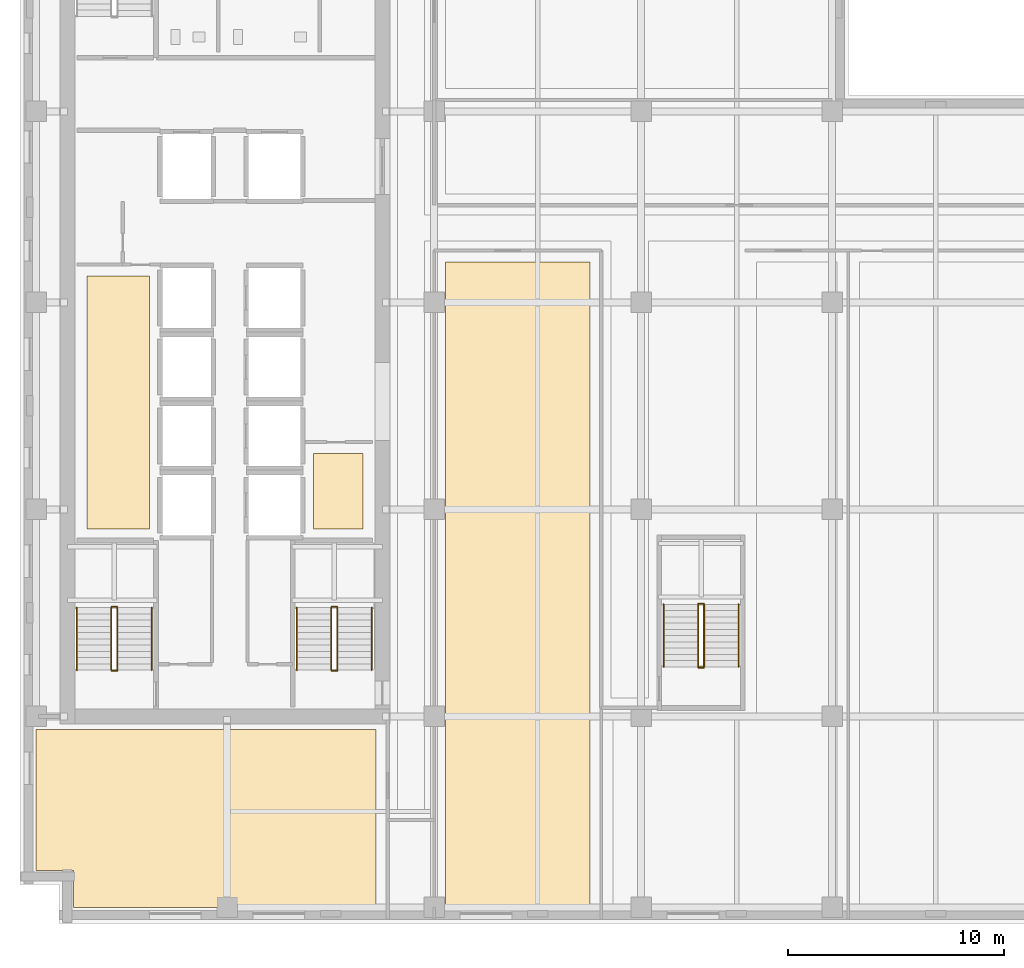
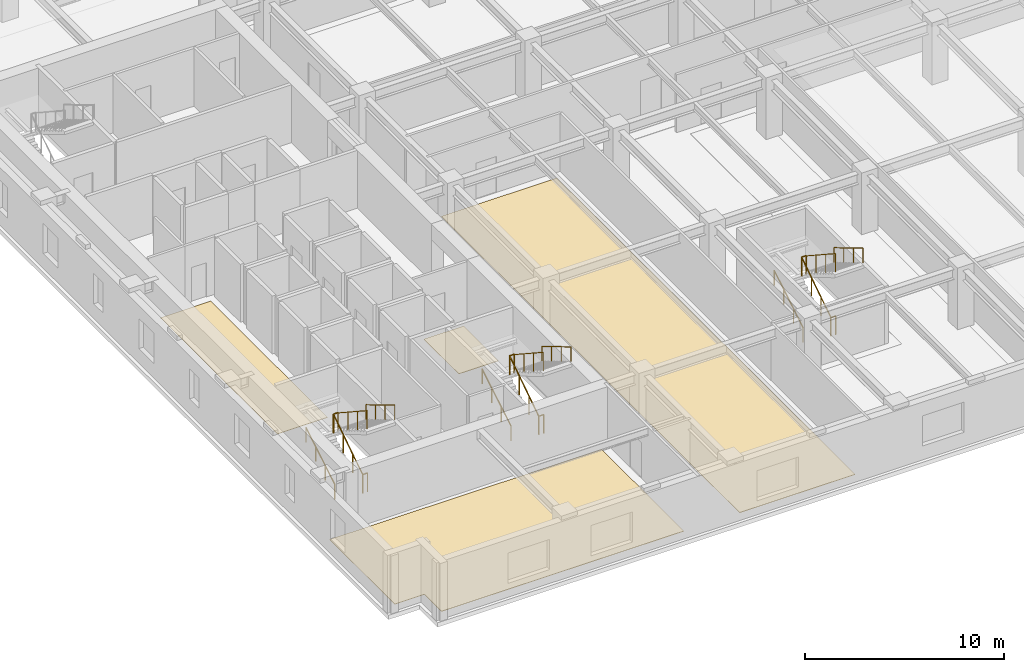
# One storey, part 10 of 14: 18 railings, 4 coverings.
"""IFC4 building model written with IfcOpenShell, lengths in metres."""

from ifc_helpers import new_model, si_unit, direction, frame, origin, origin_2d, place, context, subcontext, project, spatial, polyline, circle, outline, extrude, material, layer, layer_set, type_object, element, save


model = new_model("IFC4")

# Units and contexts
model_context = context("Model", 3, precision=1e-05, world=origin(), true_north=direction((0.0, 1.0)))
body_context = subcontext(model_context, "Body", "Model", "MODEL_VIEW")
ifc_project = project(units=[si_unit("LENGTHUNIT", "METRE"), si_unit("AREAUNIT", "SQUARE_METRE"), si_unit("VOLUMEUNIT", "CUBIC_METRE"), si_unit("PLANEANGLEUNIT", "RADIAN"), si_unit("MASSUNIT", "GRAM", prefix="KILO")], contexts=[model_context])

# Site, building, storey
site_placement = place(None, origin())
site = spatial("IfcSite", under=ifc_project, at=site_placement, CompositionType="ELEMENT")
building_placement = place(site_placement, origin())
building = spatial("IfcBuilding", under=site, at=building_placement, Name="Norrvale University Quadrangle", CompositionType="ELEMENT")
storey_placement = place(building_placement, frame((0.0, 0.0, 156.0)))
storey = spatial("IfcBuildingStorey", under=building, at=storey_placement, Name="L39", CompositionType="ELEMENT", Elevation=156.0)

# Coverings
ifc_material_1 = material(Name="Polished Terrazzo Flooring")
ifc_layer = layer(ifc_material_1, 0.02490234375, Name="Polished Terrazzo Flooring")
ifc_layer_set = layer_set([ifc_layer], Name="Polished Terrazzo Flooring")
covering_type = type_object("IfcCoveringType", Name="Covering Terrazzo Floor 30", PredefinedType="FLOORING", material=ifc_layer_set)
covering_1_placement = place(storey_placement, origin())
element("IfcCovering", 1, at=covering_1_placement, inside=storey, type_object=covering_type, Name="Terrazzo Flooring RM-L39-JAN", PredefinedType="FLOORING", context=body_context, shape_type="SweptSolid", body=[
    extrude(outline(polyline([(13.60009765625, 18.300048828125), (13.60009765625, 21.800048828125), (15.89990234375, 21.800048828125), (15.89990234375, 18.300048828125), (13.60009765625, 18.300048828125)])), origin(), (0.0, 0.0, 1.0), 0.02490234375),
])
covering_2_placement = place(storey_placement, origin())
element("IfcCovering", 2, at=covering_2_placement, inside=storey, type_object=covering_type, Name="Terrazzo Flooring RM-L39-WSTOR", PredefinedType="FLOORING", context=body_context, shape_type="SweptSolid", body=[
    extrude(outline(polyline([(3.10009765625, 18.300048828125), (3.10009765625, 30.030029296875), (6.0, 30.030029296875), (6.0, 18.300048828125), (3.10009765625, 18.300048828125)])), origin(), (0.0, 0.0, 1.0), 0.02490234375),
])
covering_3_placement = place(storey_placement, origin())
element("IfcCovering", 3, at=covering_3_placement, inside=storey, type_object=covering_type, Name="Terrazzo Flooring RM-L39-SW1", PredefinedType="FLOORING", context=body_context, shape_type="SweptSolid", body=[
    extrude(outline(polyline([(0.75, 9.0), (16.5, 9.0), (16.5, 0.75), (2.469970703125, 0.75), (2.469970703125, 2.469970703125), (0.75, 2.469970703125), (0.75, 9.0)])), origin(), (0.0, 0.0, 1.0), 0.02490234375),
])
covering_4_placement = place(storey_placement, origin())
element("IfcCovering", 4, at=covering_4_placement, inside=storey, type_object=covering_type, Name="Terrazzo Flooring RM-L39-SE1", PredefinedType="FLOORING", context=body_context, shape_type="SweptSolid", body=[
    extrude(outline(polyline([(19.72998046875, 30.669921875), (26.419921875, 30.669921875), (26.419921875, 0.75), (19.72998046875, 0.75), (19.72998046875, 30.669921875)])), origin(), (0.0, 0.0, 1.0), 0.02490234375),
])

# Railings
ifc_material_2 = material(Name="Steel 350W Painted Balustrade", Category="steel")
railing_type_1 = type_object("IfcRailingType", Name="Railing Stair Guard 1100", PredefinedType="GUARDRAIL", material=ifc_material_2)
for number, where, name in (
    (5, (4.239990234375, 11.719970703125, 0.0), "Stair Floor Well Guard ST-01 L39"),
    (6, (4.239990234375, 14.679931640625, 1.89990234375), "Stair Mid-Landing Slot Guard ST-01 L39"),
):
    element("IfcRailing", number, at=place(storey_placement, frame(where)), inside=storey, type_object=railing_type_1, Name=name, PredefinedType="GUARDRAIL", context=body_context, shape_type="SweptSolid", body=[
        extrude(circle(Radius=0.02392578125, at=origin_2d()), frame((0.0, 0.0, 1.1259765625), z_axis=(1.0, 0.0, 0.0), x_axis=(0.0, 1.0, 0.0)), (0.0, 0.0, 1.0), 0.27001953125),
        extrude(circle(Radius=0.02099609375, at=origin_2d()), origin(), (0.0, 0.0, 1.0), 1.101806640625),
        extrude(circle(Radius=0.02099609375, at=origin_2d()), frame((0.27001953125, 0.0, 0.0)), (0.0, 0.0, 1.0), 1.101806640625),
    ])
railing_1_placement = place(storey_placement, frame((4.239990234375, 11.75, 0.0)))
element("IfcRailing", 7, at=railing_1_placement, inside=storey, type_object=railing_type_1, Name="Stair Lower Flight Inner Guard ST-01 L39", PredefinedType="GUARDRAIL", context=body_context, shape_type="SweptSolid", body=[
    extrude(circle(Radius=0.02392578125, at=origin_2d()), frame((0.0, 0.0, 1.1259765625), z_axis=(0.0, 0.836465582154, 0.548019461216), x_axis=(-1.0, 0.0, 0.0)), (0.0, 0.0, 1.0), 3.466796875),
    extrude(circle(Radius=0.02099609375, at=origin_2d()), origin(), (0.0, 0.0, 1.0), 1.101806640625),
    extrude(circle(Radius=0.02099609375, at=origin_2d()), frame((0.0, 0.966552734375, 0.63330078125)), (0.0, 0.0, 1.0), 1.101806640625),
    extrude(circle(Radius=0.02099609375, at=origin_2d()), frame((0.0, 1.933349609375, 1.2666015625)), (0.0, 0.0, 1.0), 1.101806640625),
    extrude(circle(Radius=0.02099609375, at=origin_2d()), frame((0.0, 2.89990234375, 1.89990234375)), (0.0, 0.0, 1.0), 1.101806640625),
])
railing_2_placement = place(storey_placement, frame((4.510009765625, 14.64990234375, 1.89990234375)))
element("IfcRailing", 8, at=railing_2_placement, inside=storey, type_object=railing_type_1, Name="Stair Upper Flight Inner Guard ST-01 L39", PredefinedType="GUARDRAIL", context=body_context, shape_type="SweptSolid", body=[
    extrude(circle(Radius=0.02392578125, at=origin_2d()), frame((0.0, 0.0, 1.1259765625), z_axis=(0.0, -0.836433300813, 0.548068730445), x_axis=(1.0, 0.0, 0.0)), (0.0, 0.0, 1.0), 3.467041015625),
    extrude(circle(Radius=0.02099609375, at=origin_2d()), origin(), (0.0, 0.0, 1.0), 1.101806640625),
    extrude(circle(Radius=0.02099609375, at=origin_2d()), frame((0.0, -0.966552734375, 0.63330078125)), (0.0, 0.0, 1.0), 1.101806640625),
    extrude(circle(Radius=0.02099609375, at=origin_2d()), frame((0.0, -1.933349609375, 1.266845703125)), (0.0, 0.0, 1.0), 1.101806640625),
    extrude(circle(Radius=0.02099609375, at=origin_2d()), frame((0.0, -2.89990234375, 1.900146484375)), (0.0, 0.0, 1.0), 1.101806640625),
])
for number, where, name in (
    (9, (14.43994140625, 11.719970703125, 0.0), "Stair Floor Well Guard ST-03 L39"),
    (10, (14.43994140625, 14.679931640625, 1.89990234375), "Stair Mid-Landing Slot Guard ST-03 L39"),
):
    element("IfcRailing", number, at=place(storey_placement, frame(where)), inside=storey, type_object=railing_type_1, Name=name, PredefinedType="GUARDRAIL", context=body_context, shape_type="SweptSolid", body=[
        extrude(circle(Radius=0.02392578125, at=origin_2d()), frame((0.0, 0.0, 1.1259765625), z_axis=(1.0, 0.0, 0.0), x_axis=(0.0, 1.0, 0.0)), (0.0, 0.0, 1.0), 0.27001953125),
        extrude(circle(Radius=0.02099609375, at=origin_2d()), origin(), (0.0, 0.0, 1.0), 1.101806640625),
        extrude(circle(Radius=0.02099609375, at=origin_2d()), frame((0.27001953125, 0.0, 0.0)), (0.0, 0.0, 1.0), 1.101806640625),
    ])
railing_3_placement = place(storey_placement, frame((14.43994140625, 11.75, 0.0)))
element("IfcRailing", 11, at=railing_3_placement, inside=storey, type_object=railing_type_1, Name="Stair Lower Flight Inner Guard ST-03 L39", PredefinedType="GUARDRAIL", context=body_context, shape_type="SweptSolid", body=[
    extrude(circle(Radius=0.02392578125, at=origin_2d()), frame((0.0, 0.0, 1.1259765625), z_axis=(0.0, 0.836465582154, 0.548019461216), x_axis=(-1.0, 0.0, 0.0)), (0.0, 0.0, 1.0), 3.466796875),
    extrude(circle(Radius=0.02099609375, at=origin_2d()), origin(), (0.0, 0.0, 1.0), 1.101806640625),
    extrude(circle(Radius=0.02099609375, at=origin_2d()), frame((0.0, 0.966552734375, 0.63330078125)), (0.0, 0.0, 1.0), 1.101806640625),
    extrude(circle(Radius=0.02099609375, at=origin_2d()), frame((0.0, 1.933349609375, 1.2666015625)), (0.0, 0.0, 1.0), 1.101806640625),
    extrude(circle(Radius=0.02099609375, at=origin_2d()), frame((0.0, 2.89990234375, 1.89990234375)), (0.0, 0.0, 1.0), 1.101806640625),
])
railing_4_placement = place(storey_placement, frame((14.7099609375, 14.64990234375, 1.89990234375)))
element("IfcRailing", 12, at=railing_4_placement, inside=storey, type_object=railing_type_1, Name="Stair Upper Flight Inner Guard ST-03 L39", PredefinedType="GUARDRAIL", context=body_context, shape_type="SweptSolid", body=[
    extrude(circle(Radius=0.02392578125, at=origin_2d()), frame((0.0, 0.0, 1.1259765625), z_axis=(0.0, -0.836433300813, 0.548068730445), x_axis=(1.0, 0.0, 0.0)), (0.0, 0.0, 1.0), 3.467041015625),
    extrude(circle(Radius=0.02099609375, at=origin_2d()), origin(), (0.0, 0.0, 1.0), 1.101806640625),
    extrude(circle(Radius=0.02099609375, at=origin_2d()), frame((0.0, -0.966552734375, 0.63330078125)), (0.0, 0.0, 1.0), 1.101806640625),
    extrude(circle(Radius=0.02099609375, at=origin_2d()), frame((0.0, -1.933349609375, 1.266845703125)), (0.0, 0.0, 1.0), 1.101806640625),
    extrude(circle(Radius=0.02099609375, at=origin_2d()), frame((0.0, -2.89990234375, 1.900146484375)), (0.0, 0.0, 1.0), 1.101806640625),
])
for number, where, name in (
    (13, (31.43994140625, 11.8701171875, 0.0), "Stair Floor Well Guard ST-04 L39"),
    (14, (31.43994140625, 14.830078125, 1.89990234375), "Stair Mid-Landing Slot Guard ST-04 L39"),
):
    element("IfcRailing", number, at=place(storey_placement, frame(where)), inside=storey, type_object=railing_type_1, Name=name, PredefinedType="GUARDRAIL", context=body_context, shape_type="SweptSolid", body=[
        extrude(circle(Radius=0.02392578125, at=origin_2d()), frame((0.0, 0.0, 1.1259765625), z_axis=(1.0, 0.0, 0.0), x_axis=(0.0, 1.0, 0.0)), (0.0, 0.0, 1.0), 0.27001953125),
        extrude(circle(Radius=0.02099609375, at=origin_2d()), origin(), (0.0, 0.0, 1.0), 1.101806640625),
        extrude(circle(Radius=0.02099609375, at=origin_2d()), frame((0.27001953125, 0.0, 0.0)), (0.0, 0.0, 1.0), 1.101806640625),
    ])
railing_5_placement = place(storey_placement, frame((31.43994140625, 11.89990234375, 0.0)))
element("IfcRailing", 15, at=railing_5_placement, inside=storey, type_object=railing_type_1, Name="Stair Lower Flight Inner Guard ST-04 L39", PredefinedType="GUARDRAIL", context=body_context, shape_type="SweptSolid", body=[
    extrude(circle(Radius=0.02392578125, at=origin_2d()), frame((0.0, 0.0, 1.1259765625), z_axis=(0.0, 0.836486729621, 0.547987181573), x_axis=(-1.0, 0.0, 0.0)), (0.0, 0.0, 1.0), 3.467041015625),
    extrude(circle(Radius=0.02099609375, at=origin_2d()), origin(), (0.0, 0.0, 1.0), 1.101806640625),
    extrude(circle(Radius=0.02099609375, at=origin_2d()), frame((0.0, 0.966796875, 0.63330078125)), (0.0, 0.0, 1.0), 1.101806640625),
    extrude(circle(Radius=0.02099609375, at=origin_2d()), frame((0.0, 1.933349609375, 1.2666015625)), (0.0, 0.0, 1.0), 1.101806640625),
    extrude(circle(Radius=0.02099609375, at=origin_2d()), frame((0.0, 2.900146484375, 1.89990234375)), (0.0, 0.0, 1.0), 1.101806640625),
])
railing_6_placement = place(storey_placement, frame((31.7099609375, 14.800048828125, 1.89990234375)))
element("IfcRailing", 16, at=railing_6_placement, inside=storey, type_object=railing_type_1, Name="Stair Upper Flight Inner Guard ST-04 L39", PredefinedType="GUARDRAIL", context=body_context, shape_type="SweptSolid", body=[
    extrude(circle(Radius=0.02392578125, at=origin_2d()), frame((0.0, 0.0, 1.1259765625), z_axis=(0.0, -0.836454451266, 0.548036450392), x_axis=(1.0, 0.0, 0.0)), (0.0, 0.0, 1.0), 3.46728515625),
    extrude(circle(Radius=0.02099609375, at=origin_2d()), origin(), (0.0, 0.0, 1.0), 1.101806640625),
    extrude(circle(Radius=0.02099609375, at=origin_2d()), frame((0.0, -0.966796875, 0.63330078125)), (0.0, 0.0, 1.0), 1.101806640625),
    extrude(circle(Radius=0.02099609375, at=origin_2d()), frame((0.0, -1.933349609375, 1.266845703125)), (0.0, 0.0, 1.0), 1.101806640625),
    extrude(circle(Radius=0.02099609375, at=origin_2d()), frame((0.0, -2.900146484375, 1.900146484375)), (0.0, 0.0, 1.0), 1.101806640625),
])
ifc_material_3 = material(Name="Stainless Steel 316L Handrail", Category="steel")
railing_type_2 = type_object("IfcRailingType", Name="Railing Stair Handrail 920", PredefinedType="HANDRAIL", material=ifc_material_3)
railing_7_placement = place(storey_placement, frame((2.639892578125, 11.75, 0.172607421875)))
element("IfcRailing", 17, at=railing_7_placement, inside=storey, type_object=railing_type_2, Name="Stair Lower Flight Handrail ST-01 L39", PredefinedType="HANDRAIL", context=body_context, shape_type="SweptSolid", body=[
    extrude(circle(Radius=0.02392578125, at=origin_2d()), frame((0.0, 0.0, 0.89599609375), z_axis=(0.0, 0.859141464434, 0.511738159696), x_axis=(-1.0, 0.0, 0.0)), (0.0, 0.0, 1.0), 3.375244140625),
    extrude(circle(Radius=0.02099609375, at=origin_2d()), origin(), (0.0, 0.0, 1.0), 0.871826171875),
    extrude(circle(Radius=0.02099609375, at=origin_2d()), frame((0.0, 0.966552734375, 0.57568359375)), (0.0, 0.0, 1.0), 0.871826171875),
    extrude(circle(Radius=0.02099609375, at=origin_2d()), frame((0.0, 1.933349609375, 1.151611328125)), (0.0, 0.0, 1.0), 0.871826171875),
    extrude(circle(Radius=0.02099609375, at=origin_2d()), frame((0.0, 2.89990234375, 1.727294921875)), (0.0, 0.0, 1.0), 0.871826171875),
])
railing_8_placement = place(storey_placement, frame((6.110107421875, 14.64990234375, 2.07275390625)))
element("IfcRailing", 18, at=railing_8_placement, inside=storey, type_object=railing_type_2, Name="Stair Upper Flight Handrail ST-01 L39", PredefinedType="HANDRAIL", context=body_context, shape_type="SweptSolid", body=[
    extrude(circle(Radius=0.02392578125, at=origin_2d()), frame((0.0, 0.0, 0.89599609375), z_axis=(0.0, -0.859141464434, 0.511738159696), x_axis=(1.0, 0.0, 0.0)), (0.0, 0.0, 1.0), 3.375244140625),
    extrude(circle(Radius=0.02099609375, at=origin_2d()), origin(), (0.0, 0.0, 1.0), 0.871826171875),
    extrude(circle(Radius=0.02099609375, at=origin_2d()), frame((0.0, -0.966552734375, 0.57568359375)), (0.0, 0.0, 1.0), 0.871826171875),
    extrude(circle(Radius=0.02099609375, at=origin_2d()), frame((0.0, -1.933349609375, 1.151611328125)), (0.0, 0.0, 1.0), 0.871826171875),
    extrude(circle(Radius=0.02099609375, at=origin_2d()), frame((0.0, -2.89990234375, 1.727294921875)), (0.0, 0.0, 1.0), 0.871826171875),
])
railing_9_placement = place(storey_placement, frame((12.840087890625, 11.75, 0.172607421875)))
element("IfcRailing", 19, at=railing_9_placement, inside=storey, type_object=railing_type_2, Name="Stair Lower Flight Handrail ST-03 L39", PredefinedType="HANDRAIL", context=body_context, shape_type="SweptSolid", body=[
    extrude(circle(Radius=0.02392578125, at=origin_2d()), frame((0.0, 0.0, 0.89599609375), z_axis=(0.0, 0.859141464434, 0.511738159696), x_axis=(-1.0, 0.0, 0.0)), (0.0, 0.0, 1.0), 3.375244140625),
    extrude(circle(Radius=0.02099609375, at=origin_2d()), origin(), (0.0, 0.0, 1.0), 0.871826171875),
    extrude(circle(Radius=0.02099609375, at=origin_2d()), frame((0.0, 0.966552734375, 0.57568359375)), (0.0, 0.0, 1.0), 0.871826171875),
    extrude(circle(Radius=0.02099609375, at=origin_2d()), frame((0.0, 1.933349609375, 1.151611328125)), (0.0, 0.0, 1.0), 0.871826171875),
    extrude(circle(Radius=0.02099609375, at=origin_2d()), frame((0.0, 2.89990234375, 1.727294921875)), (0.0, 0.0, 1.0), 0.871826171875),
])
railing_10_placement = place(storey_placement, frame((16.31005859375, 14.64990234375, 2.07275390625)))
element("IfcRailing", 20, at=railing_10_placement, inside=storey, type_object=railing_type_2, Name="Stair Upper Flight Handrail ST-03 L39", PredefinedType="HANDRAIL", context=body_context, shape_type="SweptSolid", body=[
    extrude(circle(Radius=0.02392578125, at=origin_2d()), frame((0.0, 0.0, 0.89599609375), z_axis=(0.0, -0.859141464434, 0.511738159696), x_axis=(1.0, 0.0, 0.0)), (0.0, 0.0, 1.0), 3.375244140625),
    extrude(circle(Radius=0.02099609375, at=origin_2d()), origin(), (0.0, 0.0, 1.0), 0.871826171875),
    extrude(circle(Radius=0.02099609375, at=origin_2d()), frame((0.0, -0.966552734375, 0.57568359375)), (0.0, 0.0, 1.0), 0.871826171875),
    extrude(circle(Radius=0.02099609375, at=origin_2d()), frame((0.0, -1.933349609375, 1.151611328125)), (0.0, 0.0, 1.0), 0.871826171875),
    extrude(circle(Radius=0.02099609375, at=origin_2d()), frame((0.0, -2.89990234375, 1.727294921875)), (0.0, 0.0, 1.0), 0.871826171875),
])
railing_11_placement = place(storey_placement, frame((29.840087890625, 11.89990234375, 0.172607421875)))
element("IfcRailing", 21, at=railing_11_placement, inside=storey, type_object=railing_type_2, Name="Stair Lower Flight Handrail ST-04 L39", PredefinedType="HANDRAIL", context=body_context, shape_type="SweptSolid", body=[
    extrude(circle(Radius=0.02392578125, at=origin_2d()), frame((0.0, 0.0, 0.89599609375), z_axis=(0.0, 0.859160404282, 0.51170636083), x_axis=(-1.0, 0.0, 0.0)), (0.0, 0.0, 1.0), 3.37548828125),
    extrude(circle(Radius=0.02099609375, at=origin_2d()), origin(), (0.0, 0.0, 1.0), 0.871826171875),
    extrude(circle(Radius=0.02099609375, at=origin_2d()), frame((0.0, 0.966796875, 0.57568359375)), (0.0, 0.0, 1.0), 0.871826171875),
    extrude(circle(Radius=0.02099609375, at=origin_2d()), frame((0.0, 1.933349609375, 1.151611328125)), (0.0, 0.0, 1.0), 0.871826171875),
    extrude(circle(Radius=0.02099609375, at=origin_2d()), frame((0.0, 2.900146484375, 1.727294921875)), (0.0, 0.0, 1.0), 0.871826171875),
])
railing_12_placement = place(storey_placement, frame((33.31005859375, 14.800048828125, 2.07275390625)))
element("IfcRailing", 22, at=railing_12_placement, inside=storey, type_object=railing_type_2, Name="Stair Upper Flight Handrail ST-04 L39", PredefinedType="HANDRAIL", context=body_context, shape_type="SweptSolid", body=[
    extrude(circle(Radius=0.02392578125, at=origin_2d()), frame((0.0, 0.0, 0.89599609375), z_axis=(0.0, -0.859160404282, 0.51170636083), x_axis=(1.0, 0.0, 0.0)), (0.0, 0.0, 1.0), 3.37548828125),
    extrude(circle(Radius=0.02099609375, at=origin_2d()), origin(), (0.0, 0.0, 1.0), 0.871826171875),
    extrude(circle(Radius=0.02099609375, at=origin_2d()), frame((0.0, -0.966796875, 0.57568359375)), (0.0, 0.0, 1.0), 0.871826171875),
    extrude(circle(Radius=0.02099609375, at=origin_2d()), frame((0.0, -1.933349609375, 1.151611328125)), (0.0, 0.0, 1.0), 0.871826171875),
    extrude(circle(Radius=0.02099609375, at=origin_2d()), frame((0.0, -2.900146484375, 1.727294921875)), (0.0, 0.0, 1.0), 0.871826171875),
])

save(model, "model.ifc")
